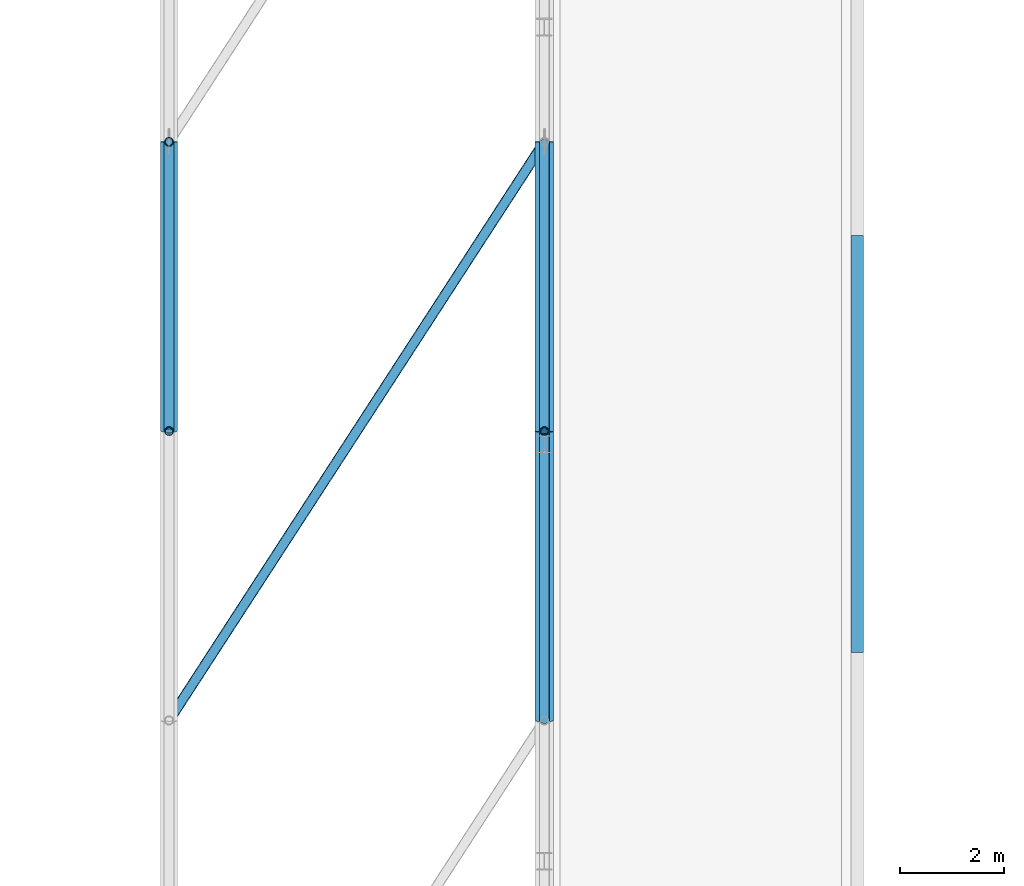
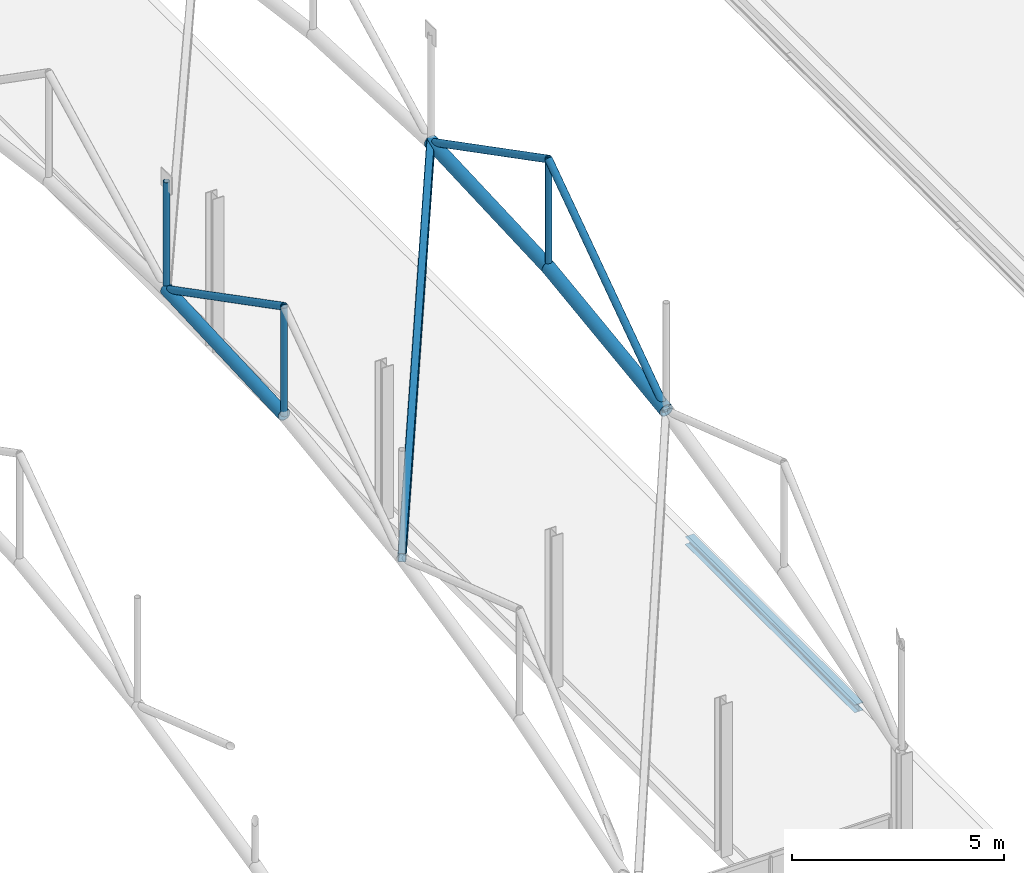
# One storey, part 63 of 153: 10 members, 1 beam.
"""IFC4 building model written with IfcOpenShell, lengths in metres."""

import ifcopenshell
import ifcopenshell.guid

model = None  # the IFC model being written
_history = None  # IfcOwnerHistory: only IFC2X3 demands one
_inside = {}  # id of a spatial element -> (the spatial element, [elements in it])
_under = {}  # id of a project, library or spatial element -> (it, [spatial elements below it])
_declared = {}  # id of a project -> (the project, [libraries it declares])
_typed = {}  # id of a type object -> (the type object, [elements of that type])
_made_of = {}  # id of a material, layer set ... -> (it, [elements and type objects made of it])


def new_model(schema):
    """Start an empty IFC model of exactly this schema.

    Asked for "IFC4X3", IfcOpenShell would pick the latest addendum, in which some entities
    have other attributes; the version numbers below select the first issue.
    IFC2X3 requires an IfcOwnerHistory on every rooted entity: one is made here for all.
    """
    global model, _history
    if schema == "IFC4X3":
        model = ifcopenshell.file(schema_version=(4, 3, 0, 0))
    else:
        model = ifcopenshell.file(schema=schema)
    _inside.clear()
    _under.clear()
    _declared.clear()
    _typed.clear()
    _made_of.clear()
    _history = None
    if model.schema == "IFC2X3":
        org = make("IfcOrganization", Name="unknown")
        user = make(
            "IfcPersonAndOrganization",
            ThePerson=make("IfcPerson", FamilyName="unknown"),
            TheOrganization=org,
        )
        app = make(
            "IfcApplication",
            ApplicationDeveloper=org,
            Version="unknown",
            ApplicationFullName="unknown",
            ApplicationIdentifier="unknown",
        )
        _history = make(
            "IfcOwnerHistory",
            OwningUser=user,
            OwningApplication=app,
            ChangeAction="ADDED",
            CreationDate=0,
        )
    return model


def make(cls, **values):
    """One entity of the class cls with the attributes given. An attribute that is None is left unset."""
    return model.create_entity(
        cls, **{name: value for name, value in values.items() if value is not None}
    )


def rooted(cls, **values):
    """An entity with a GlobalId (a new one), such as an element, a storey or a relation."""
    return make(cls, GlobalId=ifcopenshell.guid.new(), OwnerHistory=_history, **values)


def si_unit(unit_type, name, prefix=None):
    """IfcSIUnit, for example si_unit("LENGTHUNIT", "METRE", prefix="MILLI")."""
    return make("IfcSIUnit", UnitType=unit_type, Prefix=prefix, Name=name)


def derived_unit(unit_type, elements):
    """IfcDerivedUnit: a product of units, each with its exponent."""
    return make(
        "IfcDerivedUnit",
        Elements=[
            make("IfcDerivedUnitElement", Unit=unit, Exponent=power)
            for unit, power in elements
        ],
        UnitType=unit_type,
    )


def assignment(units):
    """IfcUnitAssignment: the units of a project."""
    return None if units is None else make("IfcUnitAssignment", Units=units)


def point(xyz):
    """IfcCartesianPoint."""
    return None if xyz is None else make("IfcCartesianPoint", Coordinates=xyz)


def direction(xyz):
    """IfcDirection."""
    return None if xyz is None else make("IfcDirection", DirectionRatios=xyz)


def frame(location, z_axis=None, x_axis=None):
    """IfcAxis2Placement3D, a coordinate frame: its origin and axes. An axis left out is left unset."""
    return make(
        "IfcAxis2Placement3D",
        Location=point(location),
        Axis=direction(z_axis),
        RefDirection=direction(x_axis),
    )


def frame_2d(location, x_axis=None):
    """IfcAxis2Placement2D, a coordinate frame in the plane: its origin and x axis."""
    return make(
        "IfcAxis2Placement2D", Location=point(location), RefDirection=direction(x_axis)
    )


def origin():
    """The frame at (0, 0, 0) with its axes left unset."""
    return frame((0.0, 0.0, 0.0))


def origin_2d():
    """The frame at (0, 0) in the plane with its x axis left unset."""
    return frame_2d((0.0, 0.0))


def place(relative_to, where):
    """IfcLocalPlacement: puts the frame where relative to a parent placement (None: the world)."""
    return make(
        "IfcLocalPlacement", PlacementRelTo=relative_to, RelativePlacement=where
    )


def context(
    kind, dimensions, precision=None, world=None, true_north=None, identifier=None
):
    """IfcGeometricRepresentationContext, for example the 3D "Model" context."""
    return make(
        "IfcGeometricRepresentationContext",
        ContextIdentifier=identifier,
        ContextType=kind,
        CoordinateSpaceDimension=dimensions,
        Precision=precision,
        WorldCoordinateSystem=world,
        TrueNorth=true_north,
    )


def subcontext(parent, identifier, kind, view, scale=None):
    """IfcGeometricRepresentationSubContext, for example "Body" below "Model"."""
    return make(
        "IfcGeometricRepresentationSubContext",
        ContextIdentifier=identifier,
        ContextType=kind,
        ParentContext=parent,
        TargetScale=scale,
        TargetView=view,
    )


def project(units=None, contexts=None):
    """IfcProject with its units and contexts."""
    return rooted(
        "IfcProject",
        Name="project",
        RepresentationContexts=contexts,
        UnitsInContext=assignment(units),
    )


def spatial(cls, under=None, at=None, **own):
    """A site, building, storey or space (cls), placed at a placement, below another one or the project."""
    s = rooted(cls, ObjectPlacement=at, **own)
    if under is not None:
        _under.setdefault(under.id(), (under, []))[1].append(s)
    return s


def profile(cls, at=None, kind="AREA", **sizes):
    """A parametric profile (cls). Its sizes go by their IFC names, for example OverallWidth=200.0."""
    return make(cls, ProfileType=kind, Position=at, **sizes)


def hollow_rectangle(**sizes):
    """IfcRectangleHollowProfileDef."""
    return profile("IfcRectangleHollowProfileDef", **sizes)


def hollow_circle(**sizes):
    """IfcCircleHollowProfileDef."""
    return profile("IfcCircleHollowProfileDef", **sizes)


def i_section(**sizes):
    """IfcIShapeProfileDef."""
    return profile("IfcIShapeProfileDef", **sizes)


def extrude(swept, where, along, depth):
    """IfcExtrudedAreaSolid: the profile swept, set in the frame where, extruded along a direction by depth."""
    return make(
        "IfcExtrudedAreaSolid",
        SweptArea=swept,
        Position=where,
        ExtrudedDirection=direction(along),
        Depth=depth,
    )


def shape(context_of_items, identifier, shape_type, items):
    """IfcShapeRepresentation: the items that make up one representation, for example the "Body"."""
    return make(
        "IfcShapeRepresentation",
        ContextOfItems=context_of_items,
        RepresentationIdentifier=identifier,
        RepresentationType=shape_type,
        Items=items,
    )


def material(Name=None, Category=None):
    """IfcMaterial."""
    return make("IfcMaterial", Name=Name, Category=Category)


def material_profile(
    of_material, cross_section, Name=None, Category=None, Priority=None
):
    """IfcMaterialProfile: a cross section and its material."""
    return make(
        "IfcMaterialProfile",
        Name=Name,
        Material=of_material,
        Profile=cross_section,
        Priority=Priority,
        Category=Category,
    )


def profile_set(profiles, Name=None, composite=None):
    """IfcMaterialProfileSet."""
    return make(
        "IfcMaterialProfileSet",
        Name=Name,
        MaterialProfiles=profiles,
        CompositeProfile=composite,
    )


def made_of(thing, what):
    """Note that an element or type object is made of a material, layer set ...; save() writes the relation."""
    if what is not None:
        _made_of.setdefault(what.id(), (what, []))[1].append(thing)
    return thing


def type_object(cls, material=None, **own):
    """A type object (cls), such as IfcWallType, which elements share."""
    return made_of(rooted(cls, **own), material)


def element(
    cls,
    number,
    at=None,
    inside=None,
    cuts=None,
    type_object=None,
    material=None,
    context=None,
    identifier="Body",
    shape_type=None,
    held_by="IfcProductDefinitionShape",
    body=None,
    shapes=None,
    **own,
):
    """One element of the class cls, such as IfcWall. Its Tag is "e" and its number.

    at: its placement. inside: the storey or other place that contains it. cuts: it is an
    opening in that element (IfcRelVoidsElement). A single representation is given by context,
    identifier, shape_type and body (its items); several are given by shapes. held_by: the class
    of the entity that holds the representations. save() writes the other relations.
    """
    e = rooted(cls, Tag="e%d" % number, ObjectPlacement=at, **own)
    if body is not None:
        shapes = [shape(context, identifier, shape_type, body)]
    if shapes is not None:
        e.Representation = make(held_by, Representations=shapes)
    if inside is not None:
        _inside.setdefault(inside.id(), (inside, []))[1].append(e)
    if cuts is not None:
        rooted(
            "IfcRelVoidsElement", RelatingBuildingElement=cuts, RelatedOpeningElement=e
        )
    if type_object is not None:
        _typed.setdefault(type_object.id(), (type_object, []))[1].append(e)
    return made_of(e, material)


def aggregate(whole, parts):
    """IfcRelAggregates: a whole, such as a stair, and the parts it consists of."""
    return rooted("IfcRelAggregates", RelatingObject=whole, RelatedObjects=parts)


def save(model, path):
    """Write the relations noted so far, then the file.

    IfcRelAggregates (storeys below a building ...), IfcRelContainedInSpatialStructure (elements
    in a storey), IfcRelDefinesByType, IfcRelAssociatesMaterial and IfcRelDeclares: one each for
    every whole, place, type object, material and project.
    """
    for whole, parts in _under.values():
        aggregate(whole, parts)
    for where, things in _inside.values():
        rooted(
            "IfcRelContainedInSpatialStructure",
            RelatedElements=things,
            RelatingStructure=where,
        )
    for kind, things in _typed.values():
        rooted("IfcRelDefinesByType", RelatedObjects=things, RelatingType=kind)
    for what, things in _made_of.values():
        rooted("IfcRelAssociatesMaterial", RelatedObjects=things, RelatingMaterial=what)
    for by, libraries in _declared.values():
        rooted("IfcRelDeclares", RelatingContext=by, RelatedDefinitions=libraries)
    model.write(path)


model = new_model("IFC4")

# Units and contexts
model_context = context("Model", 3, precision=1e-05, world=origin(), true_north=direction((0.0, 1.0)))
body_context = subcontext(model_context, "Body", "Model", "MODEL_VIEW")
ifc_project = project(units=[si_unit("LENGTHUNIT", "METRE"), si_unit("AREAUNIT", "SQUARE_METRE"), si_unit("VOLUMEUNIT", "CUBIC_METRE"), si_unit("PLANEANGLEUNIT", "RADIAN"), si_unit("MASSUNIT", "GRAM", prefix="KILO"), derived_unit("THERMALTRANSMITTANCEUNIT", [(si_unit("POWERUNIT", "WATT"), 1), (si_unit("LENGTHUNIT", "METRE"), -2), (si_unit("THERMODYNAMICTEMPERATUREUNIT", "KELVIN"), -1)])], contexts=[model_context])

# Site, building, storey
site_placement = place(None, origin())
site = spatial("IfcSite", under=ifc_project, at=site_placement, CompositionType="ELEMENT")
building_placement = place(site_placement, origin())
building = spatial("IfcBuilding", under=site, at=building_placement, Name="Keldorne Ridge Multi-Sports Centre", CompositionType="ELEMENT")
storey_placement = place(building_placement, frame((0.0, 0.0, 9.60009765625)))
storey = spatial("IfcBuildingStorey", under=building, at=storey_placement, Name="L02", CompositionType="ELEMENT", Elevation=9.60009765625)

# Beam
ifc_material = material(Name="Steel S355", Category="steel")
ifc_material_profile_1 = material_profile(ifc_material, i_section(OverallWidth=0.239990234375, OverallDepth=0.22998046875, WebThickness=0.007568359375, FlangeThickness=0.011962890625, FilletRadius=0.02099609375, at=origin_2d()), Name="HEA 240")
ifc_profile_set_1 = profile_set([ifc_material_profile_1], Name="Steel S355")
beam_type = type_object("IfcBeamType", Name="BM-SP-05", PredefinedType="SPANDREL", material=ifc_profile_set_1)
beam_placement = place(storey_placement, frame((84.0, 22.0, -0.34521484375), z_axis=(0.0, 1.0, 0.0), x_axis=(-1.0, 0.0, 0.0)))
element("IfcBeam", 1, at=beam_placement, inside=storey, type_object=beam_type, Name="L02 passage roof beam G12.3", PredefinedType="SPANDREL", context=body_context, shape_type="SweptSolid", body=[
    extrude(i_section(OverallWidth=0.239990234375, OverallDepth=0.22998046875, WebThickness=0.007568359375, FlangeThickness=0.011962890625, FilletRadius=0.02099609375, at=origin_2d()), origin(), (0.0, 0.0, 1.0), 8.0),
])

# Members
ifc_material_profile_2 = material_profile(ifc_material, hollow_circle(Radius=0.177734375, WallThickness=0.01611328125, at=origin_2d()), Name="CHS 355.6x16")
ifc_profile_set_2 = profile_set([ifc_material_profile_2], Name="Steel S355")
member_type_1 = type_object("IfcMemberType", Name="MEM-TC-01", PredefinedType="CHORD", material=ifc_profile_set_2)
member_1_placement = place(storey_placement, frame((78.0, 20.699951171875, 11.099853515625), z_axis=(0.0, 0.990992586768, 0.13391673895), x_axis=(-1.0, 0.0, 0.0)))
element("IfcMember", 2, at=member_1_placement, inside=storey, type_object=member_type_1, Name="Main Hall ROOF TRUSS AT-11 bottom chord 3", PredefinedType="CHORD", context=body_context, shape_type="SweptSolid", body=[
    extrude(hollow_circle(Radius=0.177734375, WallThickness=0.01611328125, at=origin_2d()), origin(), (0.0, 0.0, 1.0), 5.6005859375),
])
member_2_placement = place(storey_placement, frame((78.0, 26.25, 11.849853515625), z_axis=(0.0, 0.99898703105, 0.044999019918), x_axis=(-1.0, 0.0, 0.0)))
element("IfcMember", 3, at=member_2_placement, inside=storey, type_object=member_type_1, Name="Main Hall ROOF TRUSS AT-11 bottom chord 4", PredefinedType="CHORD", context=body_context, shape_type="SweptSolid", body=[
    extrude(hollow_circle(Radius=0.177734375, WallThickness=0.01611328125, at=origin_2d()), origin(), (0.0, 0.0, 1.0), 5.5556640625),
])
ifc_material_profile_3 = material_profile(ifc_material, hollow_circle(Radius=0.161865234375, WallThickness=0.01611328125, at=origin_2d()), Name="CHS 323.9x16")
ifc_profile_set_3 = profile_set([ifc_material_profile_3], Name="Steel S355")
member_type_2 = type_object("IfcMemberType", Name="MEM-TC-02", PredefinedType="CHORD", material=ifc_profile_set_3)
member_3_placement = place(storey_placement, frame((70.800048828125, 26.25, 10.1298828125), z_axis=(0.0, 0.99898703105, 0.044999019918), x_axis=(-1.0, 0.0, 0.0)))
element("IfcMember", 4, at=member_3_placement, inside=storey, type_object=member_type_2, Name="Main Hall ROOF TRUSS AT-10 bottom chord 4", PredefinedType="CHORD", context=body_context, shape_type="SweptSolid", body=[
    extrude(hollow_circle(Radius=0.161865234375, WallThickness=0.01611328125, at=origin_2d()), origin(), (0.0, 0.0, 1.0), 5.5556640625),
])
ifc_material_profile_4 = material_profile(ifc_material, hollow_circle(Radius=0.096923828125, WallThickness=0.010009765625, at=origin_2d()), Name="CHS 193.7x10")
ifc_profile_set_4 = profile_set([ifc_material_profile_4], Name="Steel S355")
member_type_3 = type_object("IfcMemberType", Name="MEM-TD-01", PredefinedType="BRACE", material=ifc_profile_set_4)
member_4_placement = place(storey_placement, frame((70.800048828125, 26.25, 13.25), z_axis=(0.0, 0.888256676743, -0.459347446082), x_axis=(-1.0, 0.0, 0.0)))
element("IfcMember", 5, at=member_4_placement, inside=storey, type_object=member_type_3, Name="Main Hall ROOF TRUSS AT-10 diagonal 4", PredefinedType="BRACE", context=body_context, shape_type="SweptSolid", body=[
    extrude(hollow_circle(Radius=0.096923828125, WallThickness=0.010009765625, at=origin_2d()), origin(), (0.0, 0.0, 1.0), 6.248291015625),
])
member_5_placement = place(storey_placement, frame((78.0, 20.699951171875, 11.099853515625), z_axis=(0.0, 0.820266325192, 0.571981779217), x_axis=(-1.0, 0.0, 0.0)))
element("IfcMember", 6, at=member_5_placement, inside=storey, type_object=member_type_3, Name="Main Hall ROOF TRUSS AT-11 diagonal 3", PredefinedType="BRACE", context=body_context, shape_type="SweptSolid", body=[
    extrude(hollow_circle(Radius=0.096923828125, WallThickness=0.010009765625, at=origin_2d()), origin(), (0.0, 0.0, 1.0), 6.76611328125),
])
member_6_placement = place(storey_placement, frame((78.0, 26.25, 14.969970703125), z_axis=(0.0, 0.888256676743, -0.459347446082), x_axis=(-1.0, 0.0, 0.0)))
element("IfcMember", 7, at=member_6_placement, inside=storey, type_object=member_type_3, Name="Main Hall ROOF TRUSS AT-11 diagonal 4", PredefinedType="BRACE", context=body_context, shape_type="SweptSolid", body=[
    extrude(hollow_circle(Radius=0.096923828125, WallThickness=0.010009765625, at=origin_2d()), origin(), (0.0, 0.0, 1.0), 6.248291015625),
])
ifc_material_profile_5 = material_profile(ifc_material, hollow_circle(Radius=0.084228515625, WallThickness=0.010009765625, at=origin_2d()), Name="CHS 168.3x10")
ifc_profile_set_5 = profile_set([ifc_material_profile_5], Name="Steel S355")
member_type_4 = type_object("IfcMemberType", Name="MEM-TV-01", PredefinedType="STRUT", material=ifc_profile_set_5)
for number, where, z_axis, x_axis, name in (
    (8, (70.800048828125, 26.25, 10.1298828125), (0.0, 0.0, 1.0), (1.0, 0.0, 0.0), "Main Hall ROOF TRUSS AT-10 vertical 4"),
    (9, (70.800048828125, 31.800048828125, 10.3798828125), (0.0, 0.0, 1.0), (1.0, 0.0, 0.0), "Main Hall ROOF TRUSS AT-10 vertical 5"),
    (10, (78.0, 26.25, 11.849853515625), (0.0, 0.0, 1.0), (1.0, 0.0, 0.0), "Main Hall ROOF TRUSS AT-11 vertical 4"),
):
    element("IfcMember", number, at=place(storey_placement, frame(where, z_axis=z_axis, x_axis=x_axis)), inside=storey, type_object=member_type_4, Name=name, PredefinedType="STRUT", context=body_context, shape_type="SweptSolid", body=[
        extrude(hollow_circle(Radius=0.084228515625, WallThickness=0.010009765625, at=origin_2d()), origin(), (0.0, 0.0, 1.0), 3.1201171875),
    ])
ifc_material_profile_6 = material_profile(ifc_material, hollow_rectangle(XDim=0.199951171875, YDim=0.300048828125, WallThickness=0.012451171875, InnerFilletRadius=0.012451171875, OuterFilletRadius=0.02490234375, at=origin_2d()), Name="RHS 300x200x12.5")
ifc_profile_set_6 = profile_set([ifc_material_profile_6], Name="Steel S355")
member_type_5 = type_object("IfcMemberType", Name="MEM-WB-01", PredefinedType="BRACE", material=ifc_profile_set_6)
member_7_placement = place(storey_placement, frame((70.800048828125, 20.699951171875, 9.3798828125), z_axis=(0.533037750961, 0.821779335567, 0.201369013715), x_axis=(-0.83896515778, 0.544185137643, 0.0)))
element("IfcMember", 11, at=member_7_placement, inside=storey, type_object=member_type_5, Name="Main Hall wind girder brace 10.3", PredefinedType="BRACE", context=body_context, shape_type="SweptSolid", body=[
    extrude(hollow_rectangle(XDim=0.199951171875, YDim=0.300048828125, WallThickness=0.012451171875, InnerFilletRadius=0.012451171875, OuterFilletRadius=0.02490234375, at=origin_2d()), origin(), (0.0, 0.0, 1.0), 13.50732421875),
])

save(model, "model.ifc")
